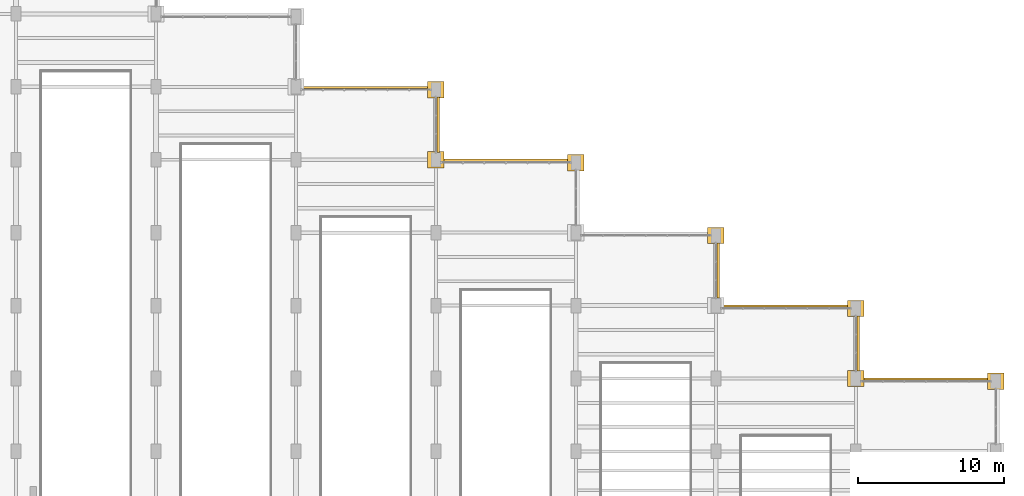
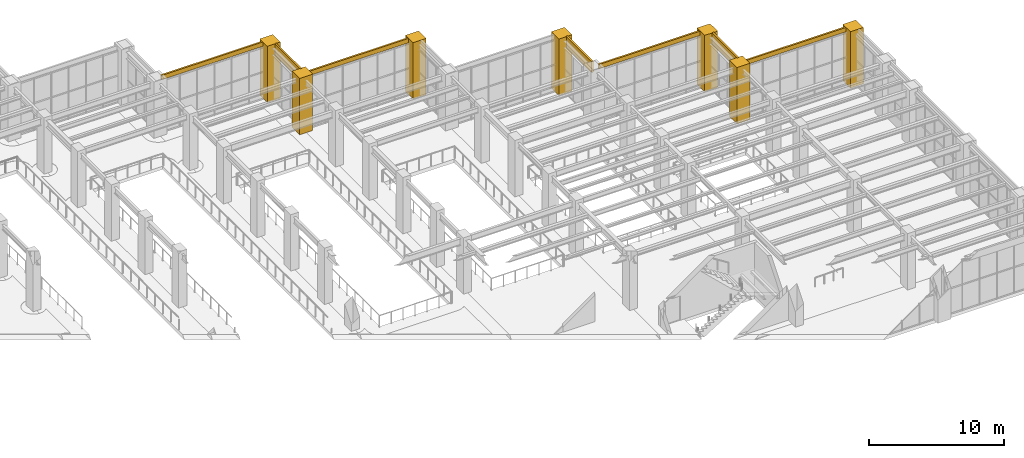
# One storey, part 174 of 174: 14 coverings.
"""IFC4 building model written with IfcOpenShell, lengths in metres."""

from ifc_helpers import new_model, si_unit, direction, frame, origin, place, context, subcontext, project, spatial, polyline, outline, extrude, material, layer, layer_set, type_object, element, save


model = new_model("IFC4")

# Units and contexts
model_context = context("Model", 3, precision=1e-05, world=origin(), true_north=direction((0.0, 1.0)))
body_context = subcontext(model_context, "Body", "Model", "MODEL_VIEW")
ifc_project = project(units=[si_unit("LENGTHUNIT", "METRE"), si_unit("AREAUNIT", "SQUARE_METRE"), si_unit("VOLUMEUNIT", "CUBIC_METRE"), si_unit("PLANEANGLEUNIT", "RADIAN"), si_unit("MASSUNIT", "GRAM", prefix="KILO")], contexts=[model_context])

# Site, building, storey
site_placement = place(None, origin())
site = spatial("IfcSite", under=ifc_project, at=site_placement, CompositionType="ELEMENT")
building_placement = place(site_placement, origin())
building = spatial("IfcBuilding", under=site, at=building_placement, Name="Mavantir Sound Aquarium", CompositionType="ELEMENT")
storey_placement = place(building_placement, frame((0.0, 0.0, 5.39990234375)))
storey = spatial("IfcBuildingStorey", under=building, at=storey_placement, Name="L01", CompositionType="ELEMENT", Elevation=5.39990234375)

# Coverings
ifc_material = material(Name="Honed Coral-Limestone & Glazed Terracotta Rainscreen Cladding", Category="masonry")
ifc_layer = layer(ifc_material, 0.06005859375, Name="Honed Coral-Limestone & Glazed Terracotta Rainscreen Cladding")
ifc_layer_set = layer_set([ifc_layer], Name="Honed Coral-Limestone & Glazed Terracotta Rainscreen Cladding")
covering_type = type_object("IfcCoveringType", Name="COV-CLAD-TC", PredefinedType="CLADDING", material=ifc_layer_set)
covering_1_placement = place(storey_placement, frame((0.0, 0.0, 4.710205078125)))
element("IfcCovering", 1, at=covering_1_placement, inside=storey, type_object=covering_type, Name="L01 Postmodern coral-limestone spandrel frieze 209", PredefinedType="CLADDING", context=body_context, shape_type="SweptSolid", body=[
    extrude(outline(polyline([(146.0419921875, 80.68994140625), (137.157958984375, 80.68994140625), (137.157958984375, 80.840087890625), (146.0419921875, 80.840087890625), (146.0419921875, 80.68994140625)])), origin(), (0.0, 0.0, 1.0), 0.389892578125),
])
covering_2_placement = place(storey_placement, frame((0.0, 0.0, 4.085205078125)))
element("IfcCovering", 2, at=covering_2_placement, inside=storey, type_object=covering_type, Name="L01 Postmodern coral-limestone spandrel frieze 210", PredefinedType="CLADDING", context=body_context, shape_type="SweptSolid", body=[
    extrude(outline(polyline([(136.889892578125, 81.30810546875), (136.889892578125, 85.092041015625), (137.0400390625, 85.092041015625), (137.0400390625, 81.30810546875), (136.889892578125, 81.30810546875)])), origin(), (0.0, 0.0, 1.0), 1.014892578125),
])
covering_3_placement = place(storey_placement, frame((0.0, 0.0, 4.710205078125)))
element("IfcCovering", 3, at=covering_3_placement, inside=storey, type_object=covering_type, Name="L01 Postmodern coral-limestone spandrel frieze 211", PredefinedType="CLADDING", context=body_context, shape_type="SweptSolid", body=[
    extrude(outline(polyline([(136.44189453125, 85.68994140625), (127.55810546875, 85.68994140625), (127.55810546875, 85.840087890625), (136.44189453125, 85.840087890625), (136.44189453125, 85.68994140625)])), origin(), (0.0, 0.0, 1.0), 0.389892578125),
])
covering_4_placement = place(storey_placement, frame((0.0, 0.0, 4.710205078125)))
element("IfcCovering", 4, at=covering_4_placement, inside=storey, type_object=covering_type, Name="L01 Postmodern coral-limestone spandrel frieze 238", PredefinedType="CLADDING", context=body_context, shape_type="SweptSolid", body=[
    extrude(outline(polyline([(174.842041015625, 65.68994140625), (165.9580078125, 65.68994140625), (165.9580078125, 65.840087890625), (174.842041015625, 65.840087890625), (174.842041015625, 65.68994140625)])), origin(), (0.0, 0.0, 1.0), 0.389892578125),
])
covering_5_placement = place(storey_placement, frame((0.0, 0.0, 4.085205078125)))
element("IfcCovering", 5, at=covering_5_placement, inside=storey, type_object=covering_type, Name="L01 Postmodern coral-limestone spandrel frieze 239", PredefinedType="CLADDING", context=body_context, shape_type="SweptSolid", body=[
    extrude(outline(polyline([(165.68994140625, 66.30810546875), (165.68994140625, 70.092041015625), (165.840087890625, 70.092041015625), (165.840087890625, 66.30810546875), (165.68994140625, 66.30810546875)])), origin(), (0.0, 0.0, 1.0), 1.014892578125),
])
covering_6_placement = place(storey_placement, frame((0.0, 0.0, 4.710205078125)))
element("IfcCovering", 6, at=covering_6_placement, inside=storey, type_object=covering_type, Name="L01 Postmodern coral-limestone spandrel frieze 240", PredefinedType="CLADDING", context=body_context, shape_type="SweptSolid", body=[
    extrude(outline(polyline([(165.241943359375, 70.68994140625), (156.35791015625, 70.68994140625), (156.35791015625, 70.840087890625), (165.241943359375, 70.840087890625), (165.241943359375, 70.68994140625)])), origin(), (0.0, 0.0, 1.0), 0.389892578125),
])
covering_7_placement = place(storey_placement, frame((0.0, 0.0, 4.085205078125)))
element("IfcCovering", 7, at=covering_7_placement, inside=storey, type_object=covering_type, Name="L01 Postmodern coral-limestone spandrel frieze 241", PredefinedType="CLADDING", context=body_context, shape_type="SweptSolid", body=[
    extrude(outline(polyline([(156.090087890625, 71.30810546875), (156.090087890625, 75.092041015625), (156.239990234375, 75.092041015625), (156.239990234375, 71.30810546875), (156.090087890625, 71.30810546875)])), origin(), (0.0, 0.0, 1.0), 1.014892578125),
])
covering_8_placement = place(storey_placement, origin())
element("IfcCovering", 8, at=covering_8_placement, inside=storey, type_object=covering_type, Name="L01 Postmodern coral-limestone pilaster casing 282", PredefinedType="CLADDING", context=body_context, shape_type="SweptSolid", body=[
    extrude(outline(polyline([(136.239990234375, 80.239990234375), (137.360107421875, 80.239990234375), (137.360107421875, 81.360107421875), (136.239990234375, 81.360107421875), (136.239990234375, 80.239990234375)])), origin(), (0.0, 0.0, 1.0), 5.10009765625),
])
covering_9_placement = place(storey_placement, origin())
element("IfcCovering", 9, at=covering_9_placement, inside=storey, type_object=covering_type, Name="L01 Postmodern coral-limestone pilaster casing 286", PredefinedType="CLADDING", context=body_context, shape_type="SweptSolid", body=[
    extrude(outline(polyline([(136.239990234375, 85.0400390625), (137.360107421875, 85.0400390625), (137.360107421875, 86.159912109375), (136.239990234375, 86.159912109375), (136.239990234375, 85.0400390625)])), origin(), (0.0, 0.0, 1.0), 5.10009765625),
])
covering_10_placement = place(storey_placement, origin())
element("IfcCovering", 10, at=covering_10_placement, inside=storey, type_object=covering_type, Name="L01 Postmodern coral-limestone pilaster casing 298", PredefinedType="CLADDING", context=body_context, shape_type="SweptSolid", body=[
    extrude(outline(polyline([(145.840087890625, 80.0400390625), (146.9599609375, 80.0400390625), (146.9599609375, 81.159912109375), (145.840087890625, 81.159912109375), (145.840087890625, 80.0400390625)])), origin(), (0.0, 0.0, 1.0), 5.10009765625),
])
covering_11_placement = place(storey_placement, origin())
element("IfcCovering", 11, at=covering_11_placement, inside=storey, type_object=covering_type, Name="L01 Postmodern coral-limestone pilaster casing 310", PredefinedType="CLADDING", context=body_context, shape_type="SweptSolid", body=[
    extrude(outline(polyline([(155.43994140625, 75.0400390625), (156.56005859375, 75.0400390625), (156.56005859375, 76.159912109375), (155.43994140625, 76.159912109375), (155.43994140625, 75.0400390625)])), origin(), (0.0, 0.0, 1.0), 5.10009765625),
])
covering_12_placement = place(storey_placement, origin())
element("IfcCovering", 12, at=covering_12_placement, inside=storey, type_object=covering_type, Name="L01 Postmodern coral-limestone pilaster casing 318", PredefinedType="CLADDING", context=body_context, shape_type="SweptSolid", body=[
    extrude(outline(polyline([(165.0400390625, 65.239990234375), (166.159912109375, 65.239990234375), (166.159912109375, 66.360107421875), (165.0400390625, 66.360107421875), (165.0400390625, 65.239990234375)])), origin(), (0.0, 0.0, 1.0), 5.10009765625),
])
covering_13_placement = place(storey_placement, origin())
element("IfcCovering", 13, at=covering_13_placement, inside=storey, type_object=covering_type, Name="L01 Postmodern coral-limestone pilaster casing 322", PredefinedType="CLADDING", context=body_context, shape_type="SweptSolid", body=[
    extrude(outline(polyline([(165.0400390625, 70.0400390625), (166.159912109375, 70.0400390625), (166.159912109375, 71.159912109375), (165.0400390625, 71.159912109375), (165.0400390625, 70.0400390625)])), origin(), (0.0, 0.0, 1.0), 5.10009765625),
])
covering_14_placement = place(storey_placement, origin())
element("IfcCovering", 14, at=covering_14_placement, inside=storey, type_object=covering_type, Name="L01 Postmodern coral-limestone pilaster casing 342", PredefinedType="CLADDING", context=body_context, shape_type="SweptSolid", body=[
    extrude(outline(polyline([(174.639892578125, 65.0400390625), (175.760009765625, 65.0400390625), (175.760009765625, 66.159912109375), (174.639892578125, 66.159912109375), (174.639892578125, 65.0400390625)])), origin(), (0.0, 0.0, 1.0), 5.10009765625),
])

save(model, "model.ifc")
